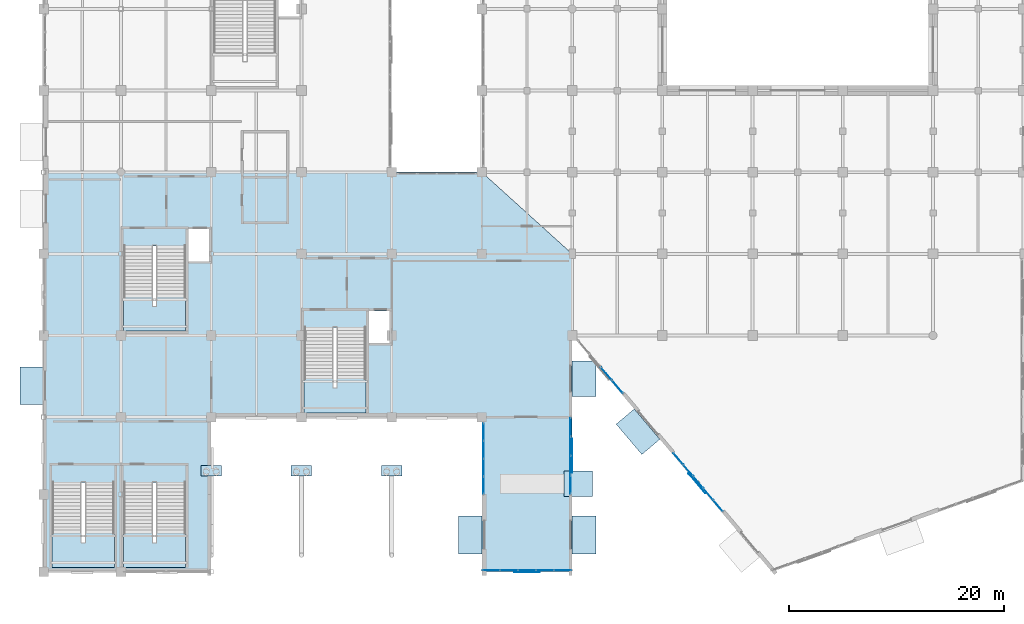
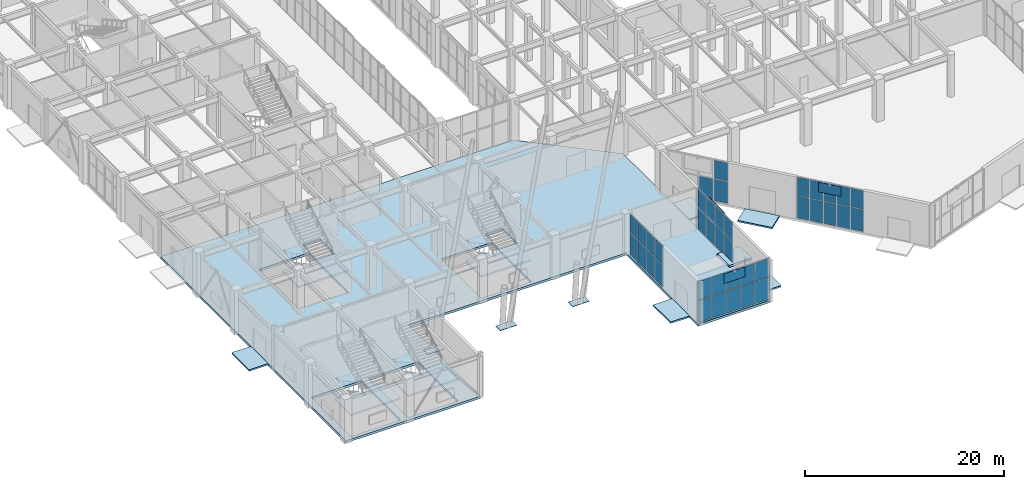
# One storey, part 100 of 139: 45 plates, 11 slabs, 9 elements without a shape of their own.
"""IFC4 building model written with IfcOpenShell, lengths in metres."""

from ifc_helpers import new_model, si_unit, direction, frame, origin, origin_2d, place, context, subcontext, project, spatial, polyline, rectangle, outline, extrude, material, layer, layer_set, type_object, element, aggregate, save


model = new_model("IFC4")

# Units and contexts
model_context = context("Model", 3, precision=1e-05, world=origin(), true_north=direction((0.0, 1.0)))
body_context = subcontext(model_context, "Body", "Model", "MODEL_VIEW")
ifc_project = project(units=[si_unit("LENGTHUNIT", "METRE"), si_unit("AREAUNIT", "SQUARE_METRE"), si_unit("VOLUMEUNIT", "CUBIC_METRE"), si_unit("PLANEANGLEUNIT", "RADIAN"), si_unit("MASSUNIT", "GRAM", prefix="KILO")], contexts=[model_context])

# Site, building, storey
site_placement = place(None, origin())
site = spatial("IfcSite", under=ifc_project, at=site_placement, CompositionType="ELEMENT")
building_placement = place(site_placement, origin())
building = spatial("IfcBuilding", under=site, at=building_placement, Name="Xicomal Pleat Aquarium", CompositionType="ELEMENT")
storey_placement = place(building_placement, origin())
storey = spatial("IfcBuildingStorey", under=building, at=storey_placement, Name="L01", CompositionType="ELEMENT", Elevation=0.0)

# Curtain wall, plates
ifc_material_1 = material(Name="Bronze anodized aluminium 6063-T6", Category="aluminium")
ifc_layer_1 = layer(ifc_material_1, 0.159912109375)
ifc_layer_set_1 = layer_set([ifc_layer_1], Name="Bronze anodized aluminium 6063-T6")
curtain_wall_type_1 = type_object("IfcCurtainWallType", Name="CW-SYS-06", PredefinedType="NOTDEFINED", material=ifc_layer_set_1)
curtain_wall_1_placement = place(storey_placement, origin())
curtain_wall_1 = element("IfcCurtainWall", 1, at=curtain_wall_1_placement, inside=storey, type_object=curtain_wall_type_1, Name="L01 unitised curtain wall CW-L01-004", PredefinedType="NOTDEFINED")
ifc_material_2 = material(Name="Insulated low-E laminated glass", Category="glass")
ifc_layer_2 = layer(ifc_material_2, 0.028076171875)
ifc_layer_set_2 = layer_set([ifc_layer_2], Name="Insulated low-E laminated glass")
plate_type_1 = type_object("IfcPlateType", Name="CWP-GLZ-28", PredefinedType="CURTAIN_PANEL", material=ifc_layer_set_2)
plate_1_placement = place(storey_placement, frame((56.419677734375, 18.025634765625, 0.0751953125), z_axis=(0.0, 0.0, 1.0), x_axis=(-0.645639128324, 0.763642662491, 0.0)))
plate_1 = element("IfcPlate", 2, at=plate_1_placement, type_object=plate_type_1, Name="CW-06 panel 1.1", PredefinedType="CURTAIN_PANEL", context=body_context, shape_type="SweptSolid", body=[
    extrude(rectangle(XDim=1.5146484375, YDim=0.028076171875, at=origin_2d()), origin(), (0.0, 0.0, 1.0), 2.673583984375),
])
plate_2_placement = place(storey_placement, frame((56.419677734375, 18.025634765625, 2.82373046875), z_axis=(0.0, 0.0, 1.0), x_axis=(-0.645639128324, 0.763642662491, 0.0)))
plate_2 = element("IfcPlate", 3, at=plate_2_placement, type_object=plate_type_1, Name="CW-06 panel 1.2", PredefinedType="CURTAIN_PANEL", context=body_context, shape_type="SweptSolid", body=[
    extrude(rectangle(XDim=1.5146484375, YDim=0.028076171875, at=origin_2d()), origin(), (0.0, 0.0, 1.0), 2.261474609375),
])
plate_3_placement = place(storey_placement, frame((55.38134765625, 19.25390625, 0.0751953125), z_axis=(0.0, 0.0, 1.0), x_axis=(-0.645639128324, 0.763642662491, 0.0)))
plate_3 = element("IfcPlate", 4, at=plate_3_placement, type_object=plate_type_1, Name="CW-06 panel 2.1", PredefinedType="CURTAIN_PANEL", context=body_context, shape_type="SweptSolid", body=[
    extrude(rectangle(XDim=1.552001953125, YDim=0.028076171875, at=origin_2d()), origin(), (0.0, 0.0, 1.0), 2.673583984375),
])
aggregate(curtain_wall_1, [plate_1, plate_2, plate_3])

ifc_material_3 = material(Name="Bronze anodized aluminium 6063-T6", Category="aluminium")
ifc_layer_3 = layer(ifc_material_3, 0.159912109375)
ifc_layer_set_3 = layer_set([ifc_layer_3], Name="Bronze anodized aluminium 6063-T6")
curtain_wall_type_2 = type_object("IfcCurtainWallType", Name="CW-SYS-11", PredefinedType="NOTDEFINED", material=ifc_layer_set_3)
curtain_wall_2_placement = place(storey_placement, origin())
curtain_wall_2 = element("IfcCurtainWall", 5, at=curtain_wall_2_placement, inside=storey, type_object=curtain_wall_type_2, Name="L01 unitised curtain wall CW-L01-005", PredefinedType="NOTDEFINED")
ifc_material_4 = material(Name="Insulated low-E laminated glass", Category="glass")
ifc_layer_4 = layer(ifc_material_4, 0.031982421875)
ifc_layer_set_4 = layer_set([ifc_layer_4], Name="Insulated low-E laminated glass")
plate_type_2 = type_object("IfcPlateType", Name="CWP-GLZ-32", PredefinedType="CURTAIN_PANEL", material=ifc_layer_set_4)
plate_4_placement = place(storey_placement, frame((52.06005859375, 14.27880859375, 0.0849609375), z_axis=(0.0, 0.0, 1.0), x_axis=(0.0, -1.0, 0.0)))
plate_4 = element("IfcPlate", 6, at=plate_4_placement, type_object=plate_type_2, Name="CW-11 panel 1.1", PredefinedType="CURTAIN_PANEL", context=body_context, shape_type="SweptSolid", body=[
    extrude(rectangle(XDim=1.672607421875, YDim=0.031982421875, at=origin_2d()), origin(), (0.0, 0.0, 1.0), 2.658447265625),
])
plate_5_placement = place(storey_placement, frame((52.06005859375, 14.27880859375, 2.828369140625), z_axis=(0.0, 0.0, 1.0), x_axis=(0.0, -1.0, 0.0)))
plate_5 = element("IfcPlate", 7, at=plate_5_placement, type_object=plate_type_2, Name="CW-11 panel 1.2", PredefinedType="CURTAIN_PANEL", context=body_context, shape_type="SweptSolid", body=[
    extrude(rectangle(XDim=1.672607421875, YDim=0.031982421875, at=origin_2d()), origin(), (0.0, 0.0, 1.0), 2.24658203125),
])
plate_6_placement = place(storey_placement, frame((52.06005859375, 12.5, 0.0849609375), z_axis=(0.0, 0.0, 1.0), x_axis=(0.0, -1.0, 0.0)))
plate_6 = element("IfcPlate", 8, at=plate_6_placement, type_object=plate_type_2, Name="CW-11 panel 2.1", PredefinedType="CURTAIN_PANEL", context=body_context, shape_type="SweptSolid", body=[
    extrude(rectangle(XDim=1.715087890625, YDim=0.031982421875, at=origin_2d()), origin(), (0.0, 0.0, 1.0), 2.658447265625),
])
plate_7_placement = place(storey_placement, frame((52.06005859375, 12.5, 2.828369140625), z_axis=(0.0, 0.0, 1.0), x_axis=(0.0, -1.0, 0.0)))
plate_7 = element("IfcPlate", 9, at=plate_7_placement, type_object=plate_type_2, Name="CW-11 panel 2.2", PredefinedType="CURTAIN_PANEL", context=body_context, shape_type="SweptSolid", body=[
    extrude(rectangle(XDim=1.715087890625, YDim=0.031982421875, at=origin_2d()), origin(), (0.0, 0.0, 1.0), 2.24658203125),
])
plate_8_placement = place(storey_placement, frame((52.06005859375, 10.699951171875, 0.0849609375), z_axis=(0.0, 0.0, 1.0), x_axis=(0.0, -1.0, 0.0)))
plate_8 = element("IfcPlate", 10, at=plate_8_placement, type_object=plate_type_2, Name="CW-11 panel 3.1", PredefinedType="CURTAIN_PANEL", context=body_context, shape_type="SweptSolid", body=[
    extrude(rectangle(XDim=1.715087890625, YDim=0.031982421875, at=origin_2d()), origin(), (0.0, 0.0, 1.0), 2.658447265625),
])
plate_9_placement = place(storey_placement, frame((52.06005859375, 10.699951171875, 2.828369140625), z_axis=(0.0, 0.0, 1.0), x_axis=(0.0, -1.0, 0.0)))
plate_9 = element("IfcPlate", 11, at=plate_9_placement, type_object=plate_type_2, Name="CW-11 panel 3.2", PredefinedType="CURTAIN_PANEL", context=body_context, shape_type="SweptSolid", body=[
    extrude(rectangle(XDim=1.715087890625, YDim=0.031982421875, at=origin_2d()), origin(), (0.0, 0.0, 1.0), 2.24658203125),
])
plate_10_placement = place(storey_placement, frame((52.06005859375, 8.92138671875, 0.0849609375), z_axis=(0.0, 0.0, 1.0), x_axis=(0.0, -1.0, 0.0)))
plate_10 = element("IfcPlate", 12, at=plate_10_placement, type_object=plate_type_2, Name="CW-11 panel 4.1", PredefinedType="CURTAIN_PANEL", context=body_context, shape_type="SweptSolid", body=[
    extrude(rectangle(XDim=1.672607421875, YDim=0.031982421875, at=origin_2d()), origin(), (0.0, 0.0, 1.0), 2.658447265625),
])
plate_11_placement = place(storey_placement, frame((52.06005859375, 8.92138671875, 2.828369140625), z_axis=(0.0, 0.0, 1.0), x_axis=(0.0, -1.0, 0.0)))
plate_11 = element("IfcPlate", 13, at=plate_11_placement, type_object=plate_type_2, Name="CW-11 panel 4.2", PredefinedType="CURTAIN_PANEL", context=body_context, shape_type="SweptSolid", body=[
    extrude(rectangle(XDim=1.672607421875, YDim=0.031982421875, at=origin_2d()), origin(), (0.0, 0.0, 1.0), 2.24658203125),
])
aggregate(curtain_wall_2, [plate_4, plate_5, plate_6, plate_7, plate_8, plate_9, plate_10, plate_11])

ifc_material_5 = material(Name="Bronze anodized aluminium 6063-T6", Category="aluminium")
ifc_layer_5 = layer(ifc_material_5, 0.159912109375)
ifc_layer_set_5 = layer_set([ifc_layer_5], Name="Bronze anodized aluminium 6063-T6")
curtain_wall_type_3 = type_object("IfcCurtainWallType", Name="CW-SYS-01", PredefinedType="NOTDEFINED", material=ifc_layer_set_5)
curtain_wall_3_placement = place(storey_placement, origin())
curtain_wall_3 = element("IfcCurtainWall", 14, at=curtain_wall_3_placement, inside=storey, type_object=curtain_wall_type_3, Name="L01 unitised curtain wall CW-L01-006", PredefinedType="NOTDEFINED")
ifc_material_6 = material(Name="Insulated low-E laminated glass", Category="glass")
ifc_layer_6 = layer(ifc_material_6, 0.035888671875)
ifc_layer_set_6 = layer_set([ifc_layer_6], Name="Insulated low-E laminated glass")
plate_type_3 = type_object("IfcPlateType", Name="CWP-GLZ-36", PredefinedType="CURTAIN_PANEL", material=ifc_layer_set_6)
plate_12_placement = place(storey_placement, frame((51.34375, 0.93994140625, 0.06494140625), z_axis=(0.0, 0.0, 1.0), x_axis=(-1.0, 0.0, 0.0)))
plate_12 = element("IfcPlate", 15, at=plate_12_placement, type_object=plate_type_3, Name="CW-01 panel 1.1", PredefinedType="CURTAIN_PANEL", context=body_context, shape_type="SweptSolid", body=[
    extrude(rectangle(XDim=1.58251953125, YDim=0.035888671875, at=origin_2d()), origin(), (0.0, 0.0, 1.0), 2.6884765625),
])
plate_13_placement = place(storey_placement, frame((51.34375, 0.93994140625, 2.818359375), z_axis=(0.0, 0.0, 1.0), x_axis=(-1.0, 0.0, 0.0)))
plate_13 = element("IfcPlate", 16, at=plate_13_placement, type_object=plate_type_3, Name="CW-01 panel 1.2", PredefinedType="CURTAIN_PANEL", context=body_context, shape_type="SweptSolid", body=[
    extrude(rectangle(XDim=1.58251953125, YDim=0.035888671875, at=origin_2d()), origin(), (0.0, 0.0, 1.0), 2.276611328125),
])
plate_14_placement = place(storey_placement, frame((49.679931640625, 0.93994140625, 0.06494140625), z_axis=(0.0, 0.0, 1.0), x_axis=(-1.0, 0.0, 0.0)))
plate_14 = element("IfcPlate", 17, at=plate_14_placement, type_object=plate_type_3, Name="CW-01 panel 2.1", PredefinedType="CURTAIN_PANEL", context=body_context, shape_type="SweptSolid", body=[
    extrude(rectangle(XDim=1.614990234375, YDim=0.035888671875, at=origin_2d()), origin(), (0.0, 0.0, 1.0), 2.6884765625),
])
plate_15_placement = place(storey_placement, frame((49.679931640625, 0.93994140625, 2.818359375), z_axis=(0.0, 0.0, 1.0), x_axis=(-1.0, 0.0, 0.0)))
plate_15 = element("IfcPlate", 18, at=plate_15_placement, type_object=plate_type_3, Name="CW-01 panel 2.2", PredefinedType="CURTAIN_PANEL", context=body_context, shape_type="SweptSolid", body=[
    extrude(rectangle(XDim=1.614990234375, YDim=0.035888671875, at=origin_2d()), origin(), (0.0, 0.0, 1.0), 2.276611328125),
])
plate_16_placement = place(storey_placement, frame((48.0, 0.93994140625, 0.06494140625), z_axis=(0.0, 0.0, 1.0), x_axis=(-1.0, 0.0, 0.0)))
plate_16 = element("IfcPlate", 19, at=plate_16_placement, type_object=plate_type_3, Name="CW-01 panel 3.1", PredefinedType="CURTAIN_PANEL", context=body_context, shape_type="SweptSolid", body=[
    extrude(rectangle(XDim=1.614990234375, YDim=0.035888671875, at=origin_2d()), origin(), (0.0, 0.0, 1.0), 2.6884765625),
])
plate_17_placement = place(storey_placement, frame((48.0, 0.93994140625, 2.818359375), z_axis=(0.0, 0.0, 1.0), x_axis=(-1.0, 0.0, 0.0)))
plate_17 = element("IfcPlate", 20, at=plate_17_placement, type_object=plate_type_3, Name="CW-01 panel 3.2", PredefinedType="CURTAIN_PANEL", context=body_context, shape_type="SweptSolid", body=[
    extrude(rectangle(XDim=1.614990234375, YDim=0.035888671875, at=origin_2d()), origin(), (0.0, 0.0, 1.0), 2.276611328125),
])
plate_18_placement = place(storey_placement, frame((46.320068359375, 0.93994140625, 0.06494140625), z_axis=(0.0, 0.0, 1.0), x_axis=(-1.0, 0.0, 0.0)))
plate_18 = element("IfcPlate", 21, at=plate_18_placement, type_object=plate_type_3, Name="CW-01 panel 4.1", PredefinedType="CURTAIN_PANEL", context=body_context, shape_type="SweptSolid", body=[
    extrude(rectangle(XDim=1.614990234375, YDim=0.035888671875, at=origin_2d()), origin(), (0.0, 0.0, 1.0), 2.6884765625),
])
plate_19_placement = place(storey_placement, frame((46.320068359375, 0.93994140625, 2.818359375), z_axis=(0.0, 0.0, 1.0), x_axis=(-1.0, 0.0, 0.0)))
plate_19 = element("IfcPlate", 22, at=plate_19_placement, type_object=plate_type_3, Name="CW-01 panel 4.2", PredefinedType="CURTAIN_PANEL", context=body_context, shape_type="SweptSolid", body=[
    extrude(rectangle(XDim=1.614990234375, YDim=0.035888671875, at=origin_2d()), origin(), (0.0, 0.0, 1.0), 2.276611328125),
])
plate_20_placement = place(storey_placement, frame((44.65625, 0.93994140625, 0.06494140625), z_axis=(0.0, 0.0, 1.0), x_axis=(-1.0, 0.0, 0.0)))
plate_20 = element("IfcPlate", 23, at=plate_20_placement, type_object=plate_type_3, Name="CW-01 panel 5.1", PredefinedType="CURTAIN_PANEL", context=body_context, shape_type="SweptSolid", body=[
    extrude(rectangle(XDim=1.58251953125, YDim=0.035888671875, at=origin_2d()), origin(), (0.0, 0.0, 1.0), 2.6884765625),
])
plate_21_placement = place(storey_placement, frame((44.65625, 0.93994140625, 2.818359375), z_axis=(0.0, 0.0, 1.0), x_axis=(-1.0, 0.0, 0.0)))
plate_21 = element("IfcPlate", 24, at=plate_21_placement, type_object=plate_type_3, Name="CW-01 panel 5.2", PredefinedType="CURTAIN_PANEL", context=body_context, shape_type="SweptSolid", body=[
    extrude(rectangle(XDim=1.58251953125, YDim=0.035888671875, at=origin_2d()), origin(), (0.0, 0.0, 1.0), 2.276611328125),
])
aggregate(curtain_wall_3, [plate_12, plate_13, plate_14, plate_15, plate_16, plate_17, plate_18, plate_19, plate_20, plate_21])

curtain_wall_4_placement = place(storey_placement, origin())
curtain_wall_4 = element("IfcCurtainWall", 25, at=curtain_wall_4_placement, inside=storey, type_object=curtain_wall_type_3, Name="L01 unitised curtain wall CW-L01-003", PredefinedType="NOTDEFINED")
ifc_material_7 = material(Name="Insulated low-E laminated glass", Category="glass")
ifc_layer_7 = layer(ifc_material_7, 0.0419921875)
ifc_layer_set_7 = layer_set([ifc_layer_7], Name="Insulated low-E laminated glass")
plate_type_4 = type_object("IfcPlateType", Name="CWP-GLZ-42", PredefinedType="CURTAIN_PANEL", material=ifc_layer_set_7)
plate_22_placement = place(storey_placement, frame((65.781494140625, 6.952392578125, 0.06494140625), z_axis=(0.0, 0.0, 1.0), x_axis=(-0.645630982645, 0.763649549367, 0.0)))
plate_22 = element("IfcPlate", 26, at=plate_22_placement, type_object=plate_type_4, Name="CW-01 panel 1.1", PredefinedType="CURTAIN_PANEL", context=body_context, shape_type="SweptSolid", body=[
    extrude(rectangle(XDim=1.343017578125, YDim=0.0419921875, at=origin_2d()), origin(), (0.0, 0.0, 1.0), 2.6884765625),
])
plate_23_placement = place(storey_placement, frame((65.781494140625, 6.952392578125, 2.818359375), z_axis=(0.0, 0.0, 1.0), x_axis=(-0.645630982645, 0.763649549367, 0.0)))
plate_23 = element("IfcPlate", 27, at=plate_23_placement, type_object=plate_type_4, Name="CW-01 panel 1.2", PredefinedType="CURTAIN_PANEL", context=body_context, shape_type="SweptSolid", body=[
    extrude(rectangle(XDim=1.343017578125, YDim=0.0419921875, at=origin_2d()), origin(), (0.0, 0.0, 1.0), 2.276611328125),
])
plate_24_placement = place(storey_placement, frame((64.862060546875, 8.0400390625, 0.06494140625), z_axis=(0.0, 0.0, 1.0), x_axis=(-0.645630982645, 0.763649549367, 0.0)))
plate_24 = element("IfcPlate", 28, at=plate_24_placement, type_object=plate_type_4, Name="CW-01 panel 2.1", PredefinedType="CURTAIN_PANEL", context=body_context, shape_type="SweptSolid", body=[
    extrude(rectangle(XDim=1.37548828125, YDim=0.0419921875, at=origin_2d()), origin(), (0.0, 0.0, 1.0), 2.6884765625),
])
plate_25_placement = place(storey_placement, frame((64.862060546875, 8.0400390625, 2.818359375), z_axis=(0.0, 0.0, 1.0), x_axis=(-0.645630982645, 0.763649549367, 0.0)))
plate_25 = element("IfcPlate", 29, at=plate_25_placement, type_object=plate_type_4, Name="CW-01 panel 2.2", PredefinedType="CURTAIN_PANEL", context=body_context, shape_type="SweptSolid", body=[
    extrude(rectangle(XDim=1.37548828125, YDim=0.0419921875, at=origin_2d()), origin(), (0.0, 0.0, 1.0), 2.276611328125),
])
plate_26_placement = place(storey_placement, frame((63.931884765625, 9.139892578125, 0.06494140625), z_axis=(0.0, 0.0, 1.0), x_axis=(-0.645630982645, 0.763649549367, 0.0)))
plate_26 = element("IfcPlate", 30, at=plate_26_placement, type_object=plate_type_4, Name="CW-01 panel 3.1", PredefinedType="CURTAIN_PANEL", context=body_context, shape_type="SweptSolid", body=[
    extrude(rectangle(XDim=1.37548828125, YDim=0.0419921875, at=origin_2d()), origin(), (0.0, 0.0, 1.0), 2.6884765625),
])
plate_27_placement = place(storey_placement, frame((63.931884765625, 9.139892578125, 2.818359375), z_axis=(0.0, 0.0, 1.0), x_axis=(-0.645630982645, 0.763649549367, 0.0)))
plate_27 = element("IfcPlate", 31, at=plate_27_placement, type_object=plate_type_4, Name="CW-01 panel 3.2", PredefinedType="CURTAIN_PANEL", context=body_context, shape_type="SweptSolid", body=[
    extrude(rectangle(XDim=1.37548828125, YDim=0.0419921875, at=origin_2d()), origin(), (0.0, 0.0, 1.0), 2.276611328125),
])
plate_28_placement = place(storey_placement, frame((63.001953125, 10.239990234375, 0.06494140625), z_axis=(0.0, 0.0, 1.0), x_axis=(-0.645630982645, 0.763649549367, 0.0)))
plate_28 = element("IfcPlate", 32, at=plate_28_placement, type_object=plate_type_4, Name="CW-01 panel 4.1", PredefinedType="CURTAIN_PANEL", context=body_context, shape_type="SweptSolid", body=[
    extrude(rectangle(XDim=1.37548828125, YDim=0.0419921875, at=origin_2d()), origin(), (0.0, 0.0, 1.0), 2.6884765625),
])
plate_29_placement = place(storey_placement, frame((63.001953125, 10.239990234375, 2.818359375), z_axis=(0.0, 0.0, 1.0), x_axis=(-0.645630982645, 0.763649549367, 0.0)))
plate_29 = element("IfcPlate", 33, at=plate_29_placement, type_object=plate_type_4, Name="CW-01 panel 4.2", PredefinedType="CURTAIN_PANEL", context=body_context, shape_type="SweptSolid", body=[
    extrude(rectangle(XDim=1.37548828125, YDim=0.0419921875, at=origin_2d()), origin(), (0.0, 0.0, 1.0), 2.276611328125),
])
plate_30_placement = place(storey_placement, frame((62.08251953125, 11.32763671875, 0.06494140625), z_axis=(0.0, 0.0, 1.0), x_axis=(-0.645630982645, 0.763649549367, 0.0)))
plate_30 = element("IfcPlate", 34, at=plate_30_placement, type_object=plate_type_4, Name="CW-01 panel 5.1", PredefinedType="CURTAIN_PANEL", context=body_context, shape_type="SweptSolid", body=[
    extrude(rectangle(XDim=1.343017578125, YDim=0.0419921875, at=origin_2d()), origin(), (0.0, 0.0, 1.0), 2.6884765625),
])
plate_31_placement = place(storey_placement, frame((62.08251953125, 11.32763671875, 2.818359375), z_axis=(0.0, 0.0, 1.0), x_axis=(-0.645630982645, 0.763649549367, 0.0)))
plate_31 = element("IfcPlate", 35, at=plate_31_placement, type_object=plate_type_4, Name="CW-01 panel 5.2", PredefinedType="CURTAIN_PANEL", context=body_context, shape_type="SweptSolid", body=[
    extrude(rectangle(XDim=1.343017578125, YDim=0.0419921875, at=origin_2d()), origin(), (0.0, 0.0, 1.0), 2.276611328125),
])
aggregate(curtain_wall_4, [plate_22, plate_23, plate_24, plate_25, plate_26, plate_27, plate_28, plate_29, plate_30, plate_31])

curtain_wall_5_placement = place(storey_placement, origin())
curtain_wall_5 = element("IfcCurtainWall", 36, at=curtain_wall_5_placement, inside=storey, type_object=curtain_wall_type_1, Name="L01 unitised curtain wall CW-L01-007", PredefinedType="NOTDEFINED")
plate_32_placement = place(storey_placement, frame((43.93994140625, 8.853759765625, 0.0751953125), z_axis=(0.0, 0.0, 1.0), x_axis=(0.0, 1.0, 0.0)))
plate_32 = element("IfcPlate", 37, at=plate_32_placement, type_object=plate_type_4, Name="CW-06 panel 1.1", PredefinedType="CURTAIN_PANEL", context=body_context, shape_type="SweptSolid", body=[
    extrude(rectangle(XDim=1.5576171875, YDim=0.0419921875, at=origin_2d()), origin(), (0.0, 0.0, 1.0), 2.673583984375),
])
plate_33_placement = place(storey_placement, frame((43.93994140625, 8.853759765625, 2.82373046875), z_axis=(0.0, 0.0, 1.0), x_axis=(0.0, 1.0, 0.0)))
plate_33 = element("IfcPlate", 38, at=plate_33_placement, type_object=plate_type_4, Name="CW-06 panel 1.2", PredefinedType="CURTAIN_PANEL", context=body_context, shape_type="SweptSolid", body=[
    extrude(rectangle(XDim=1.5576171875, YDim=0.0419921875, at=origin_2d()), origin(), (0.0, 0.0, 1.0), 2.261474609375),
])
plate_34_placement = place(storey_placement, frame((43.93994140625, 10.5048828125, 0.0751953125), z_axis=(0.0, 0.0, 1.0), x_axis=(0.0, 1.0, 0.0)))
plate_34 = element("IfcPlate", 39, at=plate_34_placement, type_object=plate_type_4, Name="CW-06 panel 2.1", PredefinedType="CURTAIN_PANEL", context=body_context, shape_type="SweptSolid", body=[
    extrude(rectangle(XDim=1.594970703125, YDim=0.0419921875, at=origin_2d()), origin(), (0.0, 0.0, 1.0), 2.673583984375),
])
plate_35_placement = place(storey_placement, frame((43.93994140625, 10.5048828125, 2.82373046875), z_axis=(0.0, 0.0, 1.0), x_axis=(0.0, 1.0, 0.0)))
plate_35 = element("IfcPlate", 40, at=plate_35_placement, type_object=plate_type_4, Name="CW-06 panel 2.2", PredefinedType="CURTAIN_PANEL", context=body_context, shape_type="SweptSolid", body=[
    extrude(rectangle(XDim=1.594970703125, YDim=0.0419921875, at=origin_2d()), origin(), (0.0, 0.0, 1.0), 2.261474609375),
])
plate_36_placement = place(storey_placement, frame((43.93994140625, 12.175048828125, 0.0751953125), z_axis=(0.0, 0.0, 1.0), x_axis=(0.0, 1.0, 0.0)))
plate_36 = element("IfcPlate", 41, at=plate_36_placement, type_object=plate_type_4, Name="CW-06 panel 3.1", PredefinedType="CURTAIN_PANEL", context=body_context, shape_type="SweptSolid", body=[
    extrude(rectangle(XDim=1.594970703125, YDim=0.0419921875, at=origin_2d()), origin(), (0.0, 0.0, 1.0), 2.673583984375),
])
plate_37_placement = place(storey_placement, frame((43.93994140625, 12.175048828125, 2.82373046875), z_axis=(0.0, 0.0, 1.0), x_axis=(0.0, 1.0, 0.0)))
plate_37 = element("IfcPlate", 42, at=plate_37_placement, type_object=plate_type_4, Name="CW-06 panel 3.2", PredefinedType="CURTAIN_PANEL", context=body_context, shape_type="SweptSolid", body=[
    extrude(rectangle(XDim=1.594970703125, YDim=0.0419921875, at=origin_2d()), origin(), (0.0, 0.0, 1.0), 2.261474609375),
])
plate_38_placement = place(storey_placement, frame((43.93994140625, 13.826171875, 0.0751953125), z_axis=(0.0, 0.0, 1.0), x_axis=(0.0, 1.0, 0.0)))
plate_38 = element("IfcPlate", 43, at=plate_38_placement, type_object=plate_type_4, Name="CW-06 panel 4.1", PredefinedType="CURTAIN_PANEL", context=body_context, shape_type="SweptSolid", body=[
    extrude(rectangle(XDim=1.5576171875, YDim=0.0419921875, at=origin_2d()), origin(), (0.0, 0.0, 1.0), 2.673583984375),
])
plate_39_placement = place(storey_placement, frame((43.93994140625, 13.826171875, 2.82373046875), z_axis=(0.0, 0.0, 1.0), x_axis=(0.0, 1.0, 0.0)))
plate_39 = element("IfcPlate", 44, at=plate_39_placement, type_object=plate_type_4, Name="CW-06 panel 4.2", PredefinedType="CURTAIN_PANEL", context=body_context, shape_type="SweptSolid", body=[
    extrude(rectangle(XDim=1.5576171875, YDim=0.0419921875, at=origin_2d()), origin(), (0.0, 0.0, 1.0), 2.261474609375),
])
aggregate(curtain_wall_5, [plate_32, plate_33, plate_34, plate_35, plate_36, plate_37, plate_38, plate_39])

# Plates
ifc_material_8 = material(Name="Structural steel A992 Gr 50", Category="steel")
ifc_layer_8 = layer(ifc_material_8, 0.030029296875)
ifc_layer_set_8 = layer_set([ifc_layer_8], Name="Structural steel A992 Gr 50")
plate_type_5 = type_object("IfcPlateType", Name="PLT-CAP-30", PredefinedType="SHEET", material=ifc_layer_set_8)
for number, where, z_axis, x_axis, name in (
    (45, (18.60009765625, 10.199951171875, -0.02978515625), (0.0, 0.0, 1.0), (1.0, 0.0, 0.0), "L01 splayed column base plate 03"),
    (46, (27.0, 10.199951171875, -0.02978515625), (0.0, 0.0, 1.0), (1.0, 0.0, 0.0), "L01 splayed column base plate 04"),
    (47, (35.39990234375, 10.199951171875, -0.02978515625), (0.0, 0.0, 1.0), (1.0, 0.0, 0.0), "L01 splayed column base plate 05"),
):
    element("IfcPlate", number, at=place(storey_placement, frame(where, z_axis=z_axis, x_axis=x_axis)), inside=storey, type_object=plate_type_5, Name=name, PredefinedType="SHEET", context=body_context, shape_type="SweptSolid", body=[
        extrude(rectangle(XDim=1.89990234375, YDim=0.949951171875, at=origin_2d()), origin(), (0.0, 0.0, 1.0), 0.030029296875),
    ])
ifc_material_9 = material(Name="Perforated bronze anodized aluminium", Category="aluminium")
ifc_layer_9 = layer(ifc_material_9, 0.01611328125)
ifc_layer_set_9 = layer_set([ifc_layer_9], Name="Perforated bronze anodized aluminium")
plate_type_6 = type_object("IfcPlateType", Name="PLT-SUN-16", PredefinedType="USERDEFINED", material=ifc_layer_set_9)
for number, where, z_axis, x_axis, name in (
    (48, (63.81005859375, 9.037109375, 3.919921875), (0.0, 0.0, 1.0), (-0.645590985448, 0.763683363384, 0.0), "L01 perforated solar sunshade 3"),
    (49, (48.0, 0.780029296875, 3.919921875), (0.0, 0.0, 1.0), (-1.0, 0.0, 0.0), "L01 perforated solar sunshade 6"),
):
    element("IfcPlate", number, at=place(storey_placement, frame(where, z_axis=z_axis, x_axis=x_axis)), inside=storey, type_object=plate_type_6, Name=name, ObjectType="SUNSHADE PANEL", PredefinedType="USERDEFINED", context=body_context, shape_type="SweptSolid", body=[
        extrude(rectangle(XDim=2.39990234375, YDim=0.01611328125, at=origin_2d()), origin(), (0.0, 0.0, 1.0), 1.199951171875),
    ])
ifc_material_10 = material(Name="Perforated bronze anodized aluminium", Category="aluminium")
ifc_layer_10 = layer(ifc_material_10, 0.02392578125)
ifc_layer_set_10 = layer_set([ifc_layer_10], Name="Perforated bronze anodized aluminium")
plate_type_7 = type_object("IfcPlateType", Name="PLT-SUN-24", PredefinedType="USERDEFINED", material=ifc_layer_set_10)
plate_40_placement = place(storey_placement, frame((52.219970703125, 11.60009765625, 3.52001953125), z_axis=(0.0, 0.0, 1.0), x_axis=(0.0, -1.0, 0.0)))
element("IfcPlate", 50, at=plate_40_placement, inside=storey, type_object=plate_type_7, Name="L01 perforated solar sunshade 5", ObjectType="SUNSHADE PANEL", PredefinedType="USERDEFINED", context=body_context, shape_type="SweptSolid", body=[
    extrude(rectangle(XDim=3.199951171875, YDim=0.02392578125, at=origin_2d()), origin(), (0.0, 0.0, 1.0), 1.60009765625),
])

# Slabs
ifc_material_11 = material(Name="Concrete C40/50", Category="concrete")
ifc_layer_11 = layer(ifc_material_11, 0.260009765625)
ifc_layer_set_11 = layer_set([ifc_layer_11], Name="Concrete C40/50")
slab_type_1 = type_object("IfcSlabType", Name="SLB-FLR-260", PredefinedType="FLOOR", material=ifc_layer_set_11)
slab_1_placement = place(storey_placement, origin())
element("IfcSlab", 51, at=slab_1_placement, inside=storey, type_object=slab_type_1, Name="L01 accessible ramp arrival landing PR-02", PredefinedType="FLOOR", context=body_context, shape_type="SweptSolid", body=[
    extrude(outline(polyline([(51.449951171875, 7.800048828125), (54.10009765625, 7.800048828125), (54.10009765625, 10.199951171875), (51.449951171875, 10.199951171875), (51.449951171875, 7.800048828125)])), origin(), (0.0, 0.0, 1.0), 0.25),
])
ifc_material_12 = material(Name="Concrete C40/50", Category="concrete")
ifc_layer_12 = layer(ifc_material_12, 0.280029296875)
ifc_layer_set_12 = layer_set([ifc_layer_12], Name="Concrete C40/50")
slab_type_2 = type_object("IfcSlabType", Name="SLB-FLR-280", PredefinedType="FLOOR", material=ifc_layer_set_12)
slab_2_placement = place(storey_placement, frame((0.0, 0.0, -0.280029296875)))
element("IfcSlab", 52, at=slab_2_placement, inside=storey, type_object=slab_type_2, Name="L01 structural slab V6", PredefinedType="FLOOR", context=body_context, shape_type="SweptSolid", body=[
    extrude(outline(polyline([(3.0, 38.0), (43.800048828125, 38.0), (52.199951171875, 30.39990234375), (52.199951171875, 0.800048828125), (43.800048828125, 0.800048828125), (43.800048828125, 15.199951171875), (18.60009765625, 15.199951171875), (18.60009765625, 0.800048828125), (3.0, 0.800048828125), (3.0, 38.0)]), holes=[polyline([(10.43994140625, 23.199951171875), (16.219970703125, 23.199951171875), (16.219970703125, 31.1201171875), (10.43994140625, 31.1201171875), (10.43994140625, 23.199951171875)]), polyline([(16.360107421875, 29.699951171875), (18.39990234375, 29.699951171875), (18.39990234375, 32.699951171875), (16.360107421875, 32.699951171875), (16.360107421875, 29.699951171875)]), polyline([(27.239990234375, 15.60009765625), (33.02001953125, 15.60009765625), (33.02001953125, 23.52001953125), (27.239990234375, 23.52001953125), (27.239990234375, 15.60009765625)]), polyline([(33.159912109375, 22.10009765625), (35.199951171875, 22.10009765625), (35.199951171875, 25.10009765625), (33.159912109375, 25.10009765625), (33.159912109375, 22.10009765625)]), polyline([(10.43994140625, 1.199951171875), (16.219970703125, 1.199951171875), (16.219970703125, 9.1201171875), (10.43994140625, 9.1201171875), (10.43994140625, 1.199951171875)]), polyline([(3.800048828125, 1.199951171875), (9.580078125, 1.199951171875), (9.580078125, 9.1201171875), (3.800048828125, 9.1201171875), (3.800048828125, 1.199951171875)])]), origin(), (0.0, 0.0, 1.0), 0.280029296875),
])

# Stair, slab
ifc_material_13 = material(Name="Concrete C35/45", Category="concrete")
stair_type = type_object("IfcStairType", Name="STR-HT-5400-2400", PredefinedType="HALF_TURN_STAIR", material=ifc_material_13)
stair_1_placement = place(storey_placement, origin())
stair_1 = element("IfcStair", 53, at=stair_1_placement, inside=storey, type_object=stair_type, Name="ST-01 fire exit stair L01 to L02", PredefinedType="HALF_TURN_STAIR")
ifc_material_14 = material(Name="Concrete C35/45", Category="concrete")
ifc_layer_13 = layer(ifc_material_14, 0.195068359375)
ifc_layer_set_13 = layer_set([ifc_layer_13], Name="Concrete C35/45")
slab_type_3 = type_object("IfcSlabType", Name="SLB-LND-195", PredefinedType="LANDING", material=ifc_layer_set_13)
slab_3_placement = place(storey_placement, frame((0.0, 0.0, 2.5048828125)))
slab_3 = element("IfcSlab", 54, at=slab_3_placement, type_object=slab_type_3, Name="ST-01 landing 1", PredefinedType="LANDING", context=body_context, shape_type="SweptSolid", body=[
    extrude(outline(polyline([(10.43994140625, 23.199951171875), (16.219970703125, 23.199951171875), (16.219970703125, 26.409912109375), (13.47998046875, 26.409912109375), (13.47998046875, 25.5), (13.179931640625, 25.5), (13.179931640625, 26.409912109375), (10.43994140625, 26.409912109375), (10.43994140625, 23.199951171875)])), origin(), (0.0, 0.0, 1.0), 0.195068359375),
])
aggregate(stair_1, [slab_3])

stair_2_placement = place(storey_placement, origin())
stair_2 = element("IfcStair", 55, at=stair_2_placement, inside=storey, type_object=stair_type, Name="ST-02 fire exit stair L01 to L02", PredefinedType="HALF_TURN_STAIR")
slab_4_placement = place(storey_placement, frame((0.0, 0.0, 2.5048828125)))
slab_4 = element("IfcSlab", 56, at=slab_4_placement, type_object=slab_type_3, Name="ST-02 landing 1", PredefinedType="LANDING", context=body_context, shape_type="SweptSolid", body=[
    extrude(outline(polyline([(27.239990234375, 15.60009765625), (33.02001953125, 15.60009765625), (33.02001953125, 18.81005859375), (30.280029296875, 18.81005859375), (30.280029296875, 17.89990234375), (29.97998046875, 17.89990234375), (29.97998046875, 18.81005859375), (27.239990234375, 18.81005859375), (27.239990234375, 15.60009765625)])), origin(), (0.0, 0.0, 1.0), 0.195068359375),
])
aggregate(stair_2, [slab_4])

stair_3_placement = place(storey_placement, origin())
stair_3 = element("IfcStair", 57, at=stair_3_placement, inside=storey, type_object=stair_type, Name="ST-09 fire exit stair L01 to L02", PredefinedType="HALF_TURN_STAIR")
slab_5_placement = place(storey_placement, frame((0.0, 0.0, 2.5048828125)))
slab_5 = element("IfcSlab", 58, at=slab_5_placement, type_object=slab_type_3, Name="ST-09 landing 1", PredefinedType="LANDING", context=body_context, shape_type="SweptSolid", body=[
    extrude(outline(polyline([(10.43994140625, 1.199951171875), (16.219970703125, 1.199951171875), (16.219970703125, 4.409912109375), (13.47998046875, 4.409912109375), (13.47998046875, 3.5), (13.179931640625, 3.5), (13.179931640625, 4.409912109375), (10.43994140625, 4.409912109375), (10.43994140625, 1.199951171875)])), origin(), (0.0, 0.0, 1.0), 0.195068359375),
])
aggregate(stair_3, [slab_5])

stair_4_placement = place(storey_placement, origin())
stair_4 = element("IfcStair", 59, at=stair_4_placement, inside=storey, type_object=stair_type, Name="ST-10 fire exit stair L01 to L02", PredefinedType="HALF_TURN_STAIR")
slab_6_placement = place(storey_placement, frame((0.0, 0.0, 2.5048828125)))
slab_6 = element("IfcSlab", 60, at=slab_6_placement, type_object=slab_type_3, Name="ST-10 landing 1", PredefinedType="LANDING", context=body_context, shape_type="SweptSolid", body=[
    extrude(outline(polyline([(3.800048828125, 1.199951171875), (9.580078125, 1.199951171875), (9.580078125, 4.409912109375), (6.840087890625, 4.409912109375), (6.840087890625, 3.5), (6.5400390625, 3.5), (6.5400390625, 4.409912109375), (3.800048828125, 4.409912109375), (3.800048828125, 1.199951171875)])), origin(), (0.0, 0.0, 1.0), 0.195068359375),
])
aggregate(stair_4, [slab_6])

# Slabs
ifc_material_15 = material(Name="Concrete C40/50", Category="concrete")
ifc_layer_14 = layer(ifc_material_15, 0.18505859375)
ifc_layer_set_14 = layer_set([ifc_layer_14], Name="Concrete C40/50")
slab_type_4 = type_object("IfcSlabType", Name="SLB-TER-185", PredefinedType="FLOOR", material=ifc_layer_set_14)
slab_7_placement = place(storey_placement, frame((0.0, 0.0, -0.18505859375)))
element("IfcSlab", 61, at=slab_7_placement, inside=storey, type_object=slab_type_4, Name="Exterior grade entrance apron SL-APR-DG-05", PredefinedType="FLOOR", context=body_context, shape_type="SweptSolid", body=[
    extrude(outline(polyline([(56.301025390625, 14.54296875), (57.98095703125, 15.962890625), (60.368896484375, 13.137939453125), (58.68896484375, 11.718017578125), (56.301025390625, 14.54296875)])), origin(), (0.0, 0.0, 1.0), 0.18505859375),
])
slab_8_placement = place(storey_placement, frame((0.0, 0.0, -0.18505859375)))
element("IfcSlab", 62, at=slab_8_placement, inside=storey, type_object=slab_type_4, Name="Exterior grade entrance apron SL-APR-DG-06", PredefinedType="FLOOR", context=body_context, shape_type="SweptSolid", body=[
    extrude(outline(polyline([(54.2099609375, 20.423095703125), (54.39990234375, 20.197998046875), (54.39990234375, 17.123046875), (52.199951171875, 17.123046875), (52.199951171875, 20.423095703125), (54.2099609375, 20.423095703125)])), origin(), (0.0, 0.0, 1.0), 0.18505859375),
])
slab_9_placement = place(storey_placement, frame((0.0, 0.0, -0.18505859375)))
element("IfcSlab", 63, at=slab_9_placement, inside=storey, type_object=slab_type_4, Name="Exterior grade entrance apron SL-APR-EX-02", PredefinedType="FLOOR", context=body_context, shape_type="SweptSolid", body=[
    extrude(outline(polyline([(0.800048828125, 16.385009765625), (0.800048828125, 19.885009765625), (3.0, 19.885009765625), (3.0, 16.385009765625), (0.800048828125, 16.385009765625)])), origin(), (0.0, 0.0, 1.0), 0.18505859375),
])
slab_10_placement = place(storey_placement, frame((0.0, 0.0, -0.18505859375)))
element("IfcSlab", 64, at=slab_10_placement, inside=storey, type_object=slab_type_4, Name="Exterior grade entrance apron SL-APR-EX-21", PredefinedType="FLOOR", context=body_context, shape_type="SweptSolid", body=[
    extrude(outline(polyline([(54.39990234375, 5.97998046875), (54.39990234375, 2.47998046875), (52.199951171875, 2.47998046875), (52.199951171875, 5.97998046875), (54.39990234375, 5.97998046875)])), origin(), (0.0, 0.0, 1.0), 0.18505859375),
])
slab_11_placement = place(storey_placement, frame((0.0, 0.0, -0.18505859375)))
element("IfcSlab", 65, at=slab_11_placement, inside=storey, type_object=slab_type_4, Name="Exterior grade entrance apron SL-APR-EX-22", PredefinedType="FLOOR", context=body_context, shape_type="SweptSolid", body=[
    extrude(outline(polyline([(41.60009765625, 2.47998046875), (41.60009765625, 5.97998046875), (43.800048828125, 5.97998046875), (43.800048828125, 2.47998046875), (41.60009765625, 2.47998046875)])), origin(), (0.0, 0.0, 1.0), 0.18505859375),
])

save(model, "model.ifc")
